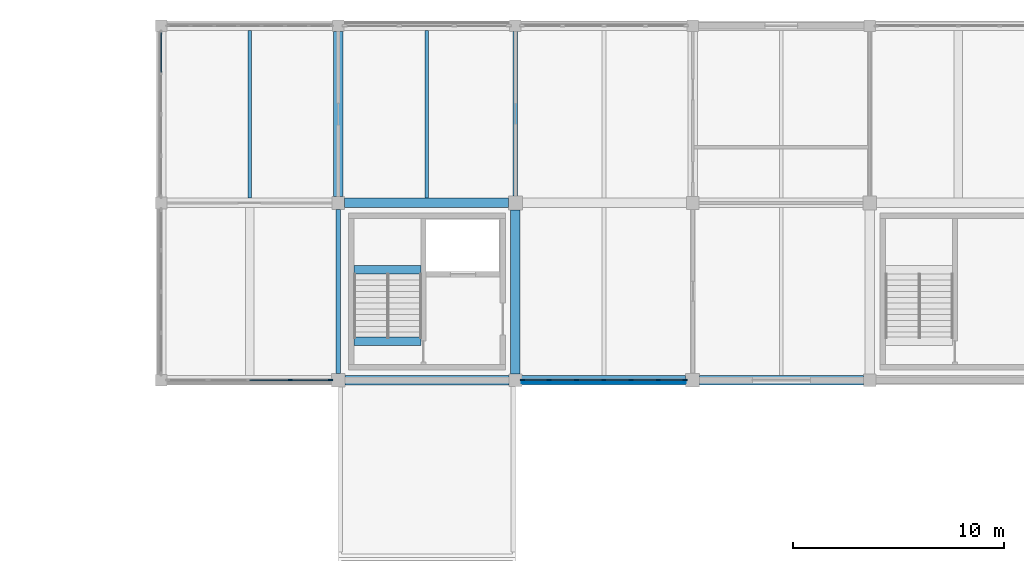
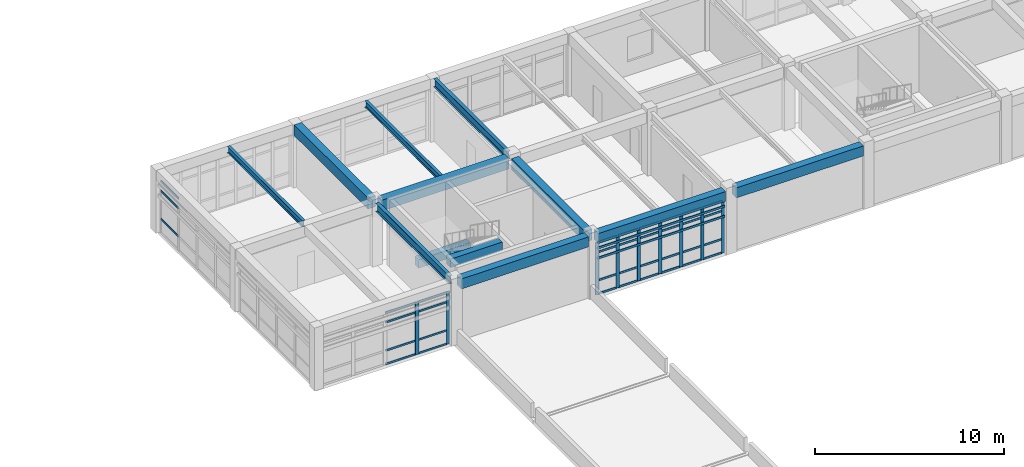
# One storey, part 3 of 18: 46 members, 12 beams, 3 elements without a shape of their own.
"""IFC4 building model written with IfcOpenShell, lengths in metres."""

import ifcopenshell
import ifcopenshell.guid

model = None  # the IFC model being written
_history = None  # IfcOwnerHistory: only IFC2X3 demands one
_inside = {}  # id of a spatial element -> (the spatial element, [elements in it])
_under = {}  # id of a project, library or spatial element -> (it, [spatial elements below it])
_declared = {}  # id of a project -> (the project, [libraries it declares])
_typed = {}  # id of a type object -> (the type object, [elements of that type])
_made_of = {}  # id of a material, layer set ... -> (it, [elements and type objects made of it])


def new_model(schema):
    """Start an empty IFC model of exactly this schema.

    Asked for "IFC4X3", IfcOpenShell would pick the latest addendum, in which some entities
    have other attributes; the version numbers below select the first issue.
    IFC2X3 requires an IfcOwnerHistory on every rooted entity: one is made here for all.
    """
    global model, _history
    if schema == "IFC4X3":
        model = ifcopenshell.file(schema_version=(4, 3, 0, 0))
    else:
        model = ifcopenshell.file(schema=schema)
    _inside.clear()
    _under.clear()
    _declared.clear()
    _typed.clear()
    _made_of.clear()
    _history = None
    if model.schema == "IFC2X3":
        org = make("IfcOrganization", Name="unknown")
        user = make(
            "IfcPersonAndOrganization",
            ThePerson=make("IfcPerson", FamilyName="unknown"),
            TheOrganization=org,
        )
        app = make(
            "IfcApplication",
            ApplicationDeveloper=org,
            Version="unknown",
            ApplicationFullName="unknown",
            ApplicationIdentifier="unknown",
        )
        _history = make(
            "IfcOwnerHistory",
            OwningUser=user,
            OwningApplication=app,
            ChangeAction="ADDED",
            CreationDate=0,
        )
    return model


def make(cls, **values):
    """One entity of the class cls with the attributes given. An attribute that is None is left unset."""
    return model.create_entity(
        cls, **{name: value for name, value in values.items() if value is not None}
    )


def rooted(cls, **values):
    """An entity with a GlobalId (a new one), such as an element, a storey or a relation."""
    return make(cls, GlobalId=ifcopenshell.guid.new(), OwnerHistory=_history, **values)


def si_unit(unit_type, name, prefix=None):
    """IfcSIUnit, for example si_unit("LENGTHUNIT", "METRE", prefix="MILLI")."""
    return make("IfcSIUnit", UnitType=unit_type, Prefix=prefix, Name=name)


def assignment(units):
    """IfcUnitAssignment: the units of a project."""
    return None if units is None else make("IfcUnitAssignment", Units=units)


def point(xyz):
    """IfcCartesianPoint."""
    return None if xyz is None else make("IfcCartesianPoint", Coordinates=xyz)


def direction(xyz):
    """IfcDirection."""
    return None if xyz is None else make("IfcDirection", DirectionRatios=xyz)


def frame(location, z_axis=None, x_axis=None):
    """IfcAxis2Placement3D, a coordinate frame: its origin and axes. An axis left out is left unset."""
    return make(
        "IfcAxis2Placement3D",
        Location=point(location),
        Axis=direction(z_axis),
        RefDirection=direction(x_axis),
    )


def frame_2d(location, x_axis=None):
    """IfcAxis2Placement2D, a coordinate frame in the plane: its origin and x axis."""
    return make(
        "IfcAxis2Placement2D", Location=point(location), RefDirection=direction(x_axis)
    )


def origin():
    """The frame at (0, 0, 0) with its axes left unset."""
    return frame((0.0, 0.0, 0.0))


def origin_2d():
    """The frame at (0, 0) in the plane with its x axis left unset."""
    return frame_2d((0.0, 0.0))


def place(relative_to, where):
    """IfcLocalPlacement: puts the frame where relative to a parent placement (None: the world)."""
    return make(
        "IfcLocalPlacement", PlacementRelTo=relative_to, RelativePlacement=where
    )


def context(
    kind, dimensions, precision=None, world=None, true_north=None, identifier=None
):
    """IfcGeometricRepresentationContext, for example the 3D "Model" context."""
    return make(
        "IfcGeometricRepresentationContext",
        ContextIdentifier=identifier,
        ContextType=kind,
        CoordinateSpaceDimension=dimensions,
        Precision=precision,
        WorldCoordinateSystem=world,
        TrueNorth=true_north,
    )


def subcontext(parent, identifier, kind, view, scale=None):
    """IfcGeometricRepresentationSubContext, for example "Body" below "Model"."""
    return make(
        "IfcGeometricRepresentationSubContext",
        ContextIdentifier=identifier,
        ContextType=kind,
        ParentContext=parent,
        TargetScale=scale,
        TargetView=view,
    )


def project(units=None, contexts=None):
    """IfcProject with its units and contexts."""
    return rooted(
        "IfcProject",
        Name="project",
        RepresentationContexts=contexts,
        UnitsInContext=assignment(units),
    )


def spatial(cls, under=None, at=None, **own):
    """A site, building, storey or space (cls), placed at a placement, below another one or the project."""
    s = rooted(cls, ObjectPlacement=at, **own)
    if under is not None:
        _under.setdefault(under.id(), (under, []))[1].append(s)
    return s


def profile(cls, at=None, kind="AREA", **sizes):
    """A parametric profile (cls). Its sizes go by their IFC names, for example OverallWidth=200.0."""
    return make(cls, ProfileType=kind, Position=at, **sizes)


def rectangle(**sizes):
    """IfcRectangleProfileDef."""
    return profile("IfcRectangleProfileDef", **sizes)


def i_section(**sizes):
    """IfcIShapeProfileDef."""
    return profile("IfcIShapeProfileDef", **sizes)


def extrude(swept, where, along, depth):
    """IfcExtrudedAreaSolid: the profile swept, set in the frame where, extruded along a direction by depth."""
    return make(
        "IfcExtrudedAreaSolid",
        SweptArea=swept,
        Position=where,
        ExtrudedDirection=direction(along),
        Depth=depth,
    )


def shape(context_of_items, identifier, shape_type, items):
    """IfcShapeRepresentation: the items that make up one representation, for example the "Body"."""
    return make(
        "IfcShapeRepresentation",
        ContextOfItems=context_of_items,
        RepresentationIdentifier=identifier,
        RepresentationType=shape_type,
        Items=items,
    )


def material(Name=None, Category=None):
    """IfcMaterial."""
    return make("IfcMaterial", Name=Name, Category=Category)


def layer(
    of_material, thickness, ventilated=None, Name=None, Category=None, Priority=None
):
    """IfcMaterialLayer: one layer of a wall or slab, of a material (None: an air gap)."""
    return make(
        "IfcMaterialLayer",
        Material=of_material,
        LayerThickness=thickness,
        IsVentilated=ventilated,
        Name=Name,
        Category=Category,
        Priority=Priority,
    )


def layer_set(layers, Name=None):
    """IfcMaterialLayerSet."""
    return make("IfcMaterialLayerSet", MaterialLayers=layers, LayerSetName=Name)


def material_profile(
    of_material, cross_section, Name=None, Category=None, Priority=None
):
    """IfcMaterialProfile: a cross section and its material."""
    return make(
        "IfcMaterialProfile",
        Name=Name,
        Material=of_material,
        Profile=cross_section,
        Priority=Priority,
        Category=Category,
    )


def profile_set(profiles, Name=None, composite=None):
    """IfcMaterialProfileSet."""
    return make(
        "IfcMaterialProfileSet",
        Name=Name,
        MaterialProfiles=profiles,
        CompositeProfile=composite,
    )


def made_of(thing, what):
    """Note that an element or type object is made of a material, layer set ...; save() writes the relation."""
    if what is not None:
        _made_of.setdefault(what.id(), (what, []))[1].append(thing)
    return thing


def type_object(cls, material=None, **own):
    """A type object (cls), such as IfcWallType, which elements share."""
    return made_of(rooted(cls, **own), material)


def element(
    cls,
    number,
    at=None,
    inside=None,
    cuts=None,
    type_object=None,
    material=None,
    context=None,
    identifier="Body",
    shape_type=None,
    held_by="IfcProductDefinitionShape",
    body=None,
    shapes=None,
    **own,
):
    """One element of the class cls, such as IfcWall. Its Tag is "e" and its number.

    at: its placement. inside: the storey or other place that contains it. cuts: it is an
    opening in that element (IfcRelVoidsElement). A single representation is given by context,
    identifier, shape_type and body (its items); several are given by shapes. held_by: the class
    of the entity that holds the representations. save() writes the other relations.
    """
    e = rooted(cls, Tag="e%d" % number, ObjectPlacement=at, **own)
    if body is not None:
        shapes = [shape(context, identifier, shape_type, body)]
    if shapes is not None:
        e.Representation = make(held_by, Representations=shapes)
    if inside is not None:
        _inside.setdefault(inside.id(), (inside, []))[1].append(e)
    if cuts is not None:
        rooted(
            "IfcRelVoidsElement", RelatingBuildingElement=cuts, RelatedOpeningElement=e
        )
    if type_object is not None:
        _typed.setdefault(type_object.id(), (type_object, []))[1].append(e)
    return made_of(e, material)


def aggregate(whole, parts):
    """IfcRelAggregates: a whole, such as a stair, and the parts it consists of."""
    return rooted("IfcRelAggregates", RelatingObject=whole, RelatedObjects=parts)


def save(model, path):
    """Write the relations noted so far, then the file.

    IfcRelAggregates (storeys below a building ...), IfcRelContainedInSpatialStructure (elements
    in a storey), IfcRelDefinesByType, IfcRelAssociatesMaterial and IfcRelDeclares: one each for
    every whole, place, type object, material and project.
    """
    for whole, parts in _under.values():
        aggregate(whole, parts)
    for where, things in _inside.values():
        rooted(
            "IfcRelContainedInSpatialStructure",
            RelatedElements=things,
            RelatingStructure=where,
        )
    for kind, things in _typed.values():
        rooted("IfcRelDefinesByType", RelatedObjects=things, RelatingType=kind)
    for what, things in _made_of.values():
        rooted("IfcRelAssociatesMaterial", RelatedObjects=things, RelatingMaterial=what)
    for by, libraries in _declared.values():
        rooted("IfcRelDeclares", RelatingContext=by, RelatedDefinitions=libraries)
    model.write(path)


model = new_model("IFC4")

# Units and contexts
model_context = context("Model", 3, precision=1e-05, world=origin(), true_north=direction((0.0, 1.0)))
body_context = subcontext(model_context, "Body", "Model", "MODEL_VIEW")
ifc_project = project(units=[si_unit("LENGTHUNIT", "METRE"), si_unit("AREAUNIT", "SQUARE_METRE"), si_unit("VOLUMEUNIT", "CUBIC_METRE"), si_unit("PLANEANGLEUNIT", "RADIAN"), si_unit("MASSUNIT", "GRAM", prefix="KILO")], contexts=[model_context])

# Site, building, storey
site_placement = place(None, origin())
site = spatial("IfcSite", under=ifc_project, at=site_placement, CompositionType="ELEMENT")
building_placement = place(site_placement, origin())
building = spatial("IfcBuilding", under=site, at=building_placement, Name="Porcellanite Civic Hall", CompositionType="ELEMENT")
storey_placement = place(building_placement, frame((0.0, 0.0, 23.39990234375)))
storey = spatial("IfcBuildingStorey", under=building, at=storey_placement, Name="L05", CompositionType="ELEMENT", Elevation=23.39990234375)

# Beams
ifc_material_1 = material(Name="Concrete N50 (50 MPa)", Category="concrete")
ifc_material_profile_1 = material_profile(ifc_material_1, rectangle(XDim=0.39990234375, YDim=0.550048828125, at=origin_2d()), Name="RC-400x550")
ifc_profile_set_1 = profile_set([ifc_material_profile_1], Name="Concrete N50 (50 MPa)")
beam_type_1 = type_object("IfcBeamType", Name="BM-RC550", PredefinedType="JOIST", material=ifc_profile_set_1)
for number, where, z_axis, x_axis, name in (
    (1, (51.140380859375, 106.02490234375, 1.705078125), (1.0, 0.0, 0.0), (0.0, 1.0, 0.0), "Stair landing beam C3 L05"),
    (2, (51.140380859375, 102.64990234375, 3.795166015625), (1.0, 0.0, 0.0), (0.0, 1.0, 0.0), "Stair header beam C3 L05"),
):
    element("IfcBeam", number, at=place(storey_placement, frame(where, z_axis=z_axis, x_axis=x_axis)), inside=storey, type_object=beam_type_1, Name=name, PredefinedType="JOIST", context=body_context, shape_type="SweptSolid", body=[
        extrude(rectangle(XDim=0.39990234375, YDim=0.550048828125, at=origin_2d()), origin(), (0.0, 0.0, 1.0), 3.17919921875),
    ])
ifc_material_2 = material(Name="Concrete N50 (50 MPa)", Category="concrete")
ifc_material_profile_2 = material_profile(ifc_material_2, rectangle(XDim=0.449951171875, YDim=0.64990234375, at=origin_2d()), Name="RC-450x650")
ifc_profile_set_2 = profile_set([ifc_material_profile_2], Name="Concrete N50 (50 MPa)")
beam_type_2 = type_object("IfcBeamType", Name="BM-RC650", PredefinedType="SPANDREL", material=ifc_profile_set_2)
for number, where, z_axis, x_axis, name in (
    (3, (50.724609375, 100.800048828125, 3.7451171875), (1.0, 0.0, 0.0), (0.0, 1.0, 0.0), "Beam X L05 7-13"),
    (4, (59.099609375, 100.800048828125, 3.7451171875), (1.0, 0.0, 0.0), (0.0, 1.0, 0.0), "Beam X L05 8-13"),
):
    element("IfcBeam", number, at=place(storey_placement, frame(where, z_axis=z_axis, x_axis=x_axis)), inside=storey, type_object=beam_type_2, Name=name, PredefinedType="SPANDREL", context=body_context, shape_type="SweptSolid", body=[
        extrude(rectangle(XDim=0.449951171875, YDim=0.64990234375, at=origin_2d()), origin(), (0.0, 0.0, 1.0), 7.77587890625),
    ])
beam_1_placement = place(storey_placement, frame((67.5244140625, 100.800048828125, 3.7451171875), z_axis=(1.0, 0.0, 0.0), x_axis=(0.0, 1.0, 0.0)))
element("IfcBeam", 5, at=beam_1_placement, inside=storey, type_object=beam_type_2, Name="Beam X L05 9-13", PredefinedType="SPANDREL", context=body_context, shape_type="SweptSolid", body=[
    extrude(rectangle(XDim=0.449951171875, YDim=0.64990234375, at=origin_2d()), origin(), (0.0, 0.0, 1.0), 7.776123046875),
])
ifc_material_3 = material(Name="Concrete N50 (50 MPa)", Category="concrete")
ifc_material_profile_3 = material_profile(ifc_material_3, rectangle(XDim=0.449951171875, YDim=0.699951171875, at=origin_2d()), Name="RC-450x700")
ifc_profile_set_3 = profile_set([ifc_material_profile_3], Name="Concrete N50 (50 MPa)")
beam_type_3 = type_object("IfcBeamType", Name="BM-RC700", PredefinedType="BEAM", material=ifc_profile_set_3)
beam_2_placement = place(storey_placement, frame((50.699462890625, 109.199951171875, 3.72021484375), z_axis=(1.0, 0.0, 0.0), x_axis=(0.0, 1.0, 0.0)))
element("IfcBeam", 6, at=beam_2_placement, inside=storey, type_object=beam_type_3, Name="Beam X L05 7-14", PredefinedType="BEAM", context=body_context, shape_type="SweptSolid", body=[
    extrude(rectangle(XDim=0.449951171875, YDim=0.699951171875, at=origin_2d()), origin(), (0.0, 0.0, 1.0), 7.776123046875),
])
beam_3_placement = place(storey_placement, frame((50.39990234375, 109.49951171875, 3.72021484375), z_axis=(0.0, 1.0, 0.0), x_axis=(-1.0, 0.0, 0.0)))
element("IfcBeam", 7, at=beam_3_placement, inside=storey, type_object=beam_type_3, Name="Beam Y L05 7-14", PredefinedType="BEAM", context=body_context, shape_type="SweptSolid", body=[
    extrude(rectangle(XDim=0.449951171875, YDim=0.699951171875, at=origin_2d()), origin(), (0.0, 0.0, 1.0), 7.825927734375),
])
beam_4_placement = place(storey_placement, frame((58.800048828125, 101.099609375, 3.72021484375), z_axis=(0.0, 1.0, 0.0), x_axis=(-1.0, 0.0, 0.0)))
element("IfcBeam", 8, at=beam_4_placement, inside=storey, type_object=beam_type_3, Name="Beam Y L05 8-13", PredefinedType="BEAM", context=body_context, shape_type="SweptSolid", body=[
    extrude(rectangle(XDim=0.449951171875, YDim=0.699951171875, at=origin_2d()), origin(), (0.0, 0.0, 1.0), 7.77587890625),
])

# Curtain wall, members
ifc_material_4 = material(Name="Anodised aluminium and solar laminated glass", Category="aluminium")
ifc_layer_1 = layer(ifc_material_4, 0.179931640625)
ifc_layer_set_1 = layer_set([ifc_layer_1], Name="Anodised aluminium and solar laminated glass")
curtain_wall_type_1 = type_object("IfcCurtainWallType", Name="CW-SYS03", PredefinedType="NOTDEFINED", material=ifc_layer_set_1)
curtain_wall_1_placement = place(storey_placement, origin())
curtain_wall_1 = element("IfcCurtainWall", 9, at=curtain_wall_1_placement, inside=storey, type_object=curtain_wall_type_1, Name="Curtain wall CW-258", PredefinedType="NOTDEFINED")
ifc_material_5 = material(Name="Anodised aluminium 6063-T6", Category="aluminium")
ifc_material_profile_4 = material_profile(ifc_material_5, rectangle(XDim=0.080078125, YDim=0.2099609375, at=origin_2d()), Name="AL-80x210")
ifc_profile_set_4 = profile_set([ifc_material_profile_4], Name="Anodised aluminium 6063-T6")
member_type_1 = type_object("IfcMemberType", Name="CWM-02", PredefinedType="MULLION", material=ifc_profile_set_4)
member_1_placement = place(storey_placement, frame((50.033935546875, 100.800048828125, 0.0), z_axis=(0.0, 0.0, 1.0), x_axis=(0.0, -1.0, 0.0)))
member_1 = element("IfcMember", 10, at=member_1_placement, type_object=member_type_1, Name="CW-258 mullion 1", PredefinedType="MULLION", context=body_context, shape_type="SweptSolid", body=[
    extrude(rectangle(XDim=0.080078125, YDim=0.2099609375, at=origin_2d()), origin(), (0.0, 0.0, 1.0), 3.3701171875),
])
member_2_placement = place(storey_placement, frame((48.12451171875, 100.800048828125, 0.0), z_axis=(0.0, 0.0, 1.0), x_axis=(0.0, -1.0, 0.0)))
member_2 = element("IfcMember", 11, at=member_2_placement, type_object=member_type_1, Name="CW-258 mullion 2", PredefinedType="MULLION", context=body_context, shape_type="SweptSolid", body=[
    extrude(rectangle(XDim=0.080078125, YDim=0.2099609375, at=origin_2d()), origin(), (0.0, 0.0, 1.0), 3.3701171875),
])

ifc_material_6 = material(Name="Anodised aluminium and solar laminated glass", Category="aluminium")
ifc_layer_2 = layer(ifc_material_6, 0.179931640625)
ifc_layer_set_2 = layer_set([ifc_layer_2], Name="Anodised aluminium and solar laminated glass")
curtain_wall_type_2 = type_object("IfcCurtainWallType", Name="CW-SYS01", PredefinedType="NOTDEFINED", material=ifc_layer_set_2)
curtain_wall_2_placement = place(storey_placement, origin())
curtain_wall_2 = element("IfcCurtainWall", 12, at=curtain_wall_2_placement, inside=storey, type_object=curtain_wall_type_2, Name="Curtain wall CW-263", PredefinedType="NOTDEFINED")
ifc_material_7 = material(Name="Anodised aluminium 6063-T6", Category="aluminium")
ifc_material_profile_5 = material_profile(ifc_material_7, rectangle(XDim=0.070068359375, YDim=0.199951171875, at=origin_2d()), Name="AL-70x200")
ifc_profile_set_5 = profile_set([ifc_material_profile_5], Name="Anodised aluminium 6063-T6")
member_type_2 = type_object("IfcMemberType", Name="CWM-05", PredefinedType="MULLION", material=ifc_profile_set_5)
member_3_placement = place(storey_placement, frame((66.839111328125, 100.800048828125, 0.0), z_axis=(0.0, 0.0, 1.0), x_axis=(0.0, -1.0, 0.0)))
member_3 = element("IfcMember", 13, at=member_3_placement, type_object=member_type_2, Name="CW-263 mullion 1", PredefinedType="MULLION", context=body_context, shape_type="SweptSolid", body=[
    extrude(rectangle(XDim=0.070068359375, YDim=0.199951171875, at=origin_2d()), origin(), (0.0, 0.0, 1.0), 3.3701171875),
])
member_4_placement = place(storey_placement, frame((65.57861328125, 100.800048828125, 0.0), z_axis=(0.0, 0.0, 1.0), x_axis=(0.0, -1.0, 0.0)))
member_4 = element("IfcMember", 14, at=member_4_placement, type_object=member_type_2, Name="CW-263 mullion 2", PredefinedType="MULLION", context=body_context, shape_type="SweptSolid", body=[
    extrude(rectangle(XDim=0.070068359375, YDim=0.199951171875, at=origin_2d()), origin(), (0.0, 0.0, 1.0), 3.3701171875),
])
member_5_placement = place(storey_placement, frame((64.282958984375, 100.800048828125, 0.0), z_axis=(0.0, 0.0, 1.0), x_axis=(0.0, -1.0, 0.0)))
member_5 = element("IfcMember", 15, at=member_5_placement, type_object=member_type_2, Name="CW-263 mullion 3", PredefinedType="MULLION", context=body_context, shape_type="SweptSolid", body=[
    extrude(rectangle(XDim=0.070068359375, YDim=0.199951171875, at=origin_2d()), origin(), (0.0, 0.0, 1.0), 3.3701171875),
])
member_6_placement = place(storey_placement, frame((62.987548828125, 100.800048828125, 0.0), z_axis=(0.0, 0.0, 1.0), x_axis=(0.0, -1.0, 0.0)))
member_6 = element("IfcMember", 16, at=member_6_placement, type_object=member_type_2, Name="CW-263 mullion 4", PredefinedType="MULLION", context=body_context, shape_type="SweptSolid", body=[
    extrude(rectangle(XDim=0.070068359375, YDim=0.199951171875, at=origin_2d()), origin(), (0.0, 0.0, 1.0), 3.3701171875),
])
member_7_placement = place(storey_placement, frame((61.69189453125, 100.800048828125, 0.0), z_axis=(0.0, 0.0, 1.0), x_axis=(0.0, -1.0, 0.0)))
member_7 = element("IfcMember", 17, at=member_7_placement, type_object=member_type_2, Name="CW-263 mullion 5", PredefinedType="MULLION", context=body_context, shape_type="SweptSolid", body=[
    extrude(rectangle(XDim=0.070068359375, YDim=0.199951171875, at=origin_2d()), origin(), (0.0, 0.0, 1.0), 3.3701171875),
])
member_8_placement = place(storey_placement, frame((60.396484375, 100.800048828125, 0.0), z_axis=(0.0, 0.0, 1.0), x_axis=(0.0, -1.0, 0.0)))
member_8 = element("IfcMember", 18, at=member_8_placement, type_object=member_type_2, Name="CW-263 mullion 6", PredefinedType="MULLION", context=body_context, shape_type="SweptSolid", body=[
    extrude(rectangle(XDim=0.070068359375, YDim=0.199951171875, at=origin_2d()), origin(), (0.0, 0.0, 1.0), 3.3701171875),
])
member_9_placement = place(storey_placement, frame((59.135986328125, 100.800048828125, 0.0), z_axis=(0.0, 0.0, 1.0), x_axis=(0.0, -1.0, 0.0)))
member_9 = element("IfcMember", 19, at=member_9_placement, type_object=member_type_2, Name="CW-263 mullion 7", PredefinedType="MULLION", context=body_context, shape_type="SweptSolid", body=[
    extrude(rectangle(XDim=0.070068359375, YDim=0.199951171875, at=origin_2d()), origin(), (0.0, 0.0, 1.0), 3.3701171875),
])
ifc_material_8 = material(Name="Anodised aluminium 6063-T6", Category="aluminium")
ifc_material_profile_6 = material_profile(ifc_material_8, rectangle(XDim=0.06005859375, YDim=0.1298828125, at=origin_2d()), Name="AL-60x130")
ifc_profile_set_6 = profile_set([ifc_material_profile_6], Name="Anodised aluminium 6063-T6")
member_type_3 = type_object("IfcMemberType", Name="CWT-03", PredefinedType="USERDEFINED", material=ifc_profile_set_6)
member_10_placement = place(storey_placement, frame((66.803955078125, 100.800048828125, 0.030029296875), z_axis=(-1.0, 0.0, 0.0), x_axis=(0.0, -1.0, 0.0)))
member_10 = element("IfcMember", 20, at=member_10_placement, type_object=member_type_3, Name="CW-263 transom 1.1", ObjectType="TRANSOM", PredefinedType="USERDEFINED", context=body_context, shape_type="SweptSolid", body=[
    extrude(rectangle(XDim=0.06005859375, YDim=0.1298828125, at=origin_2d()), origin(), (0.0, 0.0, 1.0), 1.1904296875),
])
member_11_placement = place(storey_placement, frame((66.803955078125, 100.800048828125, 0.900146484375), z_axis=(-1.0, 0.0, 0.0), x_axis=(0.0, -1.0, 0.0)))
member_11 = element("IfcMember", 21, at=member_11_placement, type_object=member_type_3, Name="CW-263 transom 1.2", ObjectType="TRANSOM", PredefinedType="USERDEFINED", context=body_context, shape_type="SweptSolid", body=[
    extrude(rectangle(XDim=0.06005859375, YDim=0.1298828125, at=origin_2d()), origin(), (0.0, 0.0, 1.0), 1.1904296875),
])
member_12_placement = place(storey_placement, frame((66.803955078125, 100.800048828125, 2.72021484375), z_axis=(-1.0, 0.0, 0.0), x_axis=(0.0, -1.0, 0.0)))
member_12 = element("IfcMember", 22, at=member_12_placement, type_object=member_type_3, Name="CW-263 transom 1.3", ObjectType="TRANSOM", PredefinedType="USERDEFINED", context=body_context, shape_type="SweptSolid", body=[
    extrude(rectangle(XDim=0.06005859375, YDim=0.1298828125, at=origin_2d()), origin(), (0.0, 0.0, 1.0), 1.1904296875),
])
member_13_placement = place(storey_placement, frame((66.803955078125, 100.800048828125, 3.340087890625), z_axis=(-1.0, 0.0, 0.0), x_axis=(0.0, -1.0, 0.0)))
member_13 = element("IfcMember", 23, at=member_13_placement, type_object=member_type_3, Name="CW-263 transom 1.4", ObjectType="TRANSOM", PredefinedType="USERDEFINED", context=body_context, shape_type="SweptSolid", body=[
    extrude(rectangle(XDim=0.06005859375, YDim=0.1298828125, at=origin_2d()), origin(), (0.0, 0.0, 1.0), 1.1904296875),
])
member_14_placement = place(storey_placement, frame((65.54345703125, 100.800048828125, 0.030029296875), z_axis=(-1.0, 0.0, 0.0), x_axis=(0.0, -1.0, 0.0)))
member_14 = element("IfcMember", 24, at=member_14_placement, type_object=member_type_3, Name="CW-263 transom 2.1", ObjectType="TRANSOM", PredefinedType="USERDEFINED", context=body_context, shape_type="SweptSolid", body=[
    extrude(rectangle(XDim=0.06005859375, YDim=0.1298828125, at=origin_2d()), origin(), (0.0, 0.0, 1.0), 1.225341796875),
])
member_15_placement = place(storey_placement, frame((65.54345703125, 100.800048828125, 0.900146484375), z_axis=(-1.0, 0.0, 0.0), x_axis=(0.0, -1.0, 0.0)))
member_15 = element("IfcMember", 25, at=member_15_placement, type_object=member_type_3, Name="CW-263 transom 2.2", ObjectType="TRANSOM", PredefinedType="USERDEFINED", context=body_context, shape_type="SweptSolid", body=[
    extrude(rectangle(XDim=0.06005859375, YDim=0.1298828125, at=origin_2d()), origin(), (0.0, 0.0, 1.0), 1.225341796875),
])
member_16_placement = place(storey_placement, frame((65.54345703125, 100.800048828125, 2.72021484375), z_axis=(-1.0, 0.0, 0.0), x_axis=(0.0, -1.0, 0.0)))
member_16 = element("IfcMember", 26, at=member_16_placement, type_object=member_type_3, Name="CW-263 transom 2.3", ObjectType="TRANSOM", PredefinedType="USERDEFINED", context=body_context, shape_type="SweptSolid", body=[
    extrude(rectangle(XDim=0.06005859375, YDim=0.1298828125, at=origin_2d()), origin(), (0.0, 0.0, 1.0), 1.225341796875),
])
member_17_placement = place(storey_placement, frame((65.54345703125, 100.800048828125, 3.340087890625), z_axis=(-1.0, 0.0, 0.0), x_axis=(0.0, -1.0, 0.0)))
member_17 = element("IfcMember", 27, at=member_17_placement, type_object=member_type_3, Name="CW-263 transom 2.4", ObjectType="TRANSOM", PredefinedType="USERDEFINED", context=body_context, shape_type="SweptSolid", body=[
    extrude(rectangle(XDim=0.06005859375, YDim=0.1298828125, at=origin_2d()), origin(), (0.0, 0.0, 1.0), 1.225341796875),
])
member_18_placement = place(storey_placement, frame((64.248046875, 100.800048828125, 0.030029296875), z_axis=(-1.0, 0.0, 0.0), x_axis=(0.0, -1.0, 0.0)))
member_18 = element("IfcMember", 28, at=member_18_placement, type_object=member_type_3, Name="CW-263 transom 3.1", ObjectType="TRANSOM", PredefinedType="USERDEFINED", context=body_context, shape_type="SweptSolid", body=[
    extrude(rectangle(XDim=0.06005859375, YDim=0.1298828125, at=origin_2d()), origin(), (0.0, 0.0, 1.0), 1.2255859375),
])
member_19_placement = place(storey_placement, frame((64.248046875, 100.800048828125, 0.900146484375), z_axis=(-1.0, 0.0, 0.0), x_axis=(0.0, -1.0, 0.0)))
member_19 = element("IfcMember", 29, at=member_19_placement, type_object=member_type_3, Name="CW-263 transom 3.2", ObjectType="TRANSOM", PredefinedType="USERDEFINED", context=body_context, shape_type="SweptSolid", body=[
    extrude(rectangle(XDim=0.06005859375, YDim=0.1298828125, at=origin_2d()), origin(), (0.0, 0.0, 1.0), 1.2255859375),
])
member_20_placement = place(storey_placement, frame((64.248046875, 100.800048828125, 2.72021484375), z_axis=(-1.0, 0.0, 0.0), x_axis=(0.0, -1.0, 0.0)))
member_20 = element("IfcMember", 30, at=member_20_placement, type_object=member_type_3, Name="CW-263 transom 3.3", ObjectType="TRANSOM", PredefinedType="USERDEFINED", context=body_context, shape_type="SweptSolid", body=[
    extrude(rectangle(XDim=0.06005859375, YDim=0.1298828125, at=origin_2d()), origin(), (0.0, 0.0, 1.0), 1.2255859375),
])
member_21_placement = place(storey_placement, frame((64.248046875, 100.800048828125, 3.340087890625), z_axis=(-1.0, 0.0, 0.0), x_axis=(0.0, -1.0, 0.0)))
member_21 = element("IfcMember", 31, at=member_21_placement, type_object=member_type_3, Name="CW-263 transom 3.4", ObjectType="TRANSOM", PredefinedType="USERDEFINED", context=body_context, shape_type="SweptSolid", body=[
    extrude(rectangle(XDim=0.06005859375, YDim=0.1298828125, at=origin_2d()), origin(), (0.0, 0.0, 1.0), 1.2255859375),
])
member_22_placement = place(storey_placement, frame((62.952392578125, 100.800048828125, 0.030029296875), z_axis=(-1.0, 0.0, 0.0), x_axis=(0.0, -1.0, 0.0)))
member_22 = element("IfcMember", 32, at=member_22_placement, type_object=member_type_3, Name="CW-263 transom 4.1", ObjectType="TRANSOM", PredefinedType="USERDEFINED", context=body_context, shape_type="SweptSolid", body=[
    extrude(rectangle(XDim=0.06005859375, YDim=0.1298828125, at=origin_2d()), origin(), (0.0, 0.0, 1.0), 1.225341796875),
])
member_23_placement = place(storey_placement, frame((62.952392578125, 100.800048828125, 0.900146484375), z_axis=(-1.0, 0.0, 0.0), x_axis=(0.0, -1.0, 0.0)))
member_23 = element("IfcMember", 33, at=member_23_placement, type_object=member_type_3, Name="CW-263 transom 4.2", ObjectType="TRANSOM", PredefinedType="USERDEFINED", context=body_context, shape_type="SweptSolid", body=[
    extrude(rectangle(XDim=0.06005859375, YDim=0.1298828125, at=origin_2d()), origin(), (0.0, 0.0, 1.0), 1.225341796875),
])
member_24_placement = place(storey_placement, frame((62.952392578125, 100.800048828125, 2.72021484375), z_axis=(-1.0, 0.0, 0.0), x_axis=(0.0, -1.0, 0.0)))
member_24 = element("IfcMember", 34, at=member_24_placement, type_object=member_type_3, Name="CW-263 transom 4.3", ObjectType="TRANSOM", PredefinedType="USERDEFINED", context=body_context, shape_type="SweptSolid", body=[
    extrude(rectangle(XDim=0.06005859375, YDim=0.1298828125, at=origin_2d()), origin(), (0.0, 0.0, 1.0), 1.225341796875),
])
member_25_placement = place(storey_placement, frame((62.952392578125, 100.800048828125, 3.340087890625), z_axis=(-1.0, 0.0, 0.0), x_axis=(0.0, -1.0, 0.0)))
member_25 = element("IfcMember", 35, at=member_25_placement, type_object=member_type_3, Name="CW-263 transom 4.4", ObjectType="TRANSOM", PredefinedType="USERDEFINED", context=body_context, shape_type="SweptSolid", body=[
    extrude(rectangle(XDim=0.06005859375, YDim=0.1298828125, at=origin_2d()), origin(), (0.0, 0.0, 1.0), 1.225341796875),
])
member_26_placement = place(storey_placement, frame((61.656982421875, 100.800048828125, 0.030029296875), z_axis=(-1.0, 0.0, 0.0), x_axis=(0.0, -1.0, 0.0)))
member_26 = element("IfcMember", 36, at=member_26_placement, type_object=member_type_3, Name="CW-263 transom 5.1", ObjectType="TRANSOM", PredefinedType="USERDEFINED", context=body_context, shape_type="SweptSolid", body=[
    extrude(rectangle(XDim=0.06005859375, YDim=0.1298828125, at=origin_2d()), origin(), (0.0, 0.0, 1.0), 1.2255859375),
])
member_27_placement = place(storey_placement, frame((61.656982421875, 100.800048828125, 0.900146484375), z_axis=(-1.0, 0.0, 0.0), x_axis=(0.0, -1.0, 0.0)))
member_27 = element("IfcMember", 37, at=member_27_placement, type_object=member_type_3, Name="CW-263 transom 5.2", ObjectType="TRANSOM", PredefinedType="USERDEFINED", context=body_context, shape_type="SweptSolid", body=[
    extrude(rectangle(XDim=0.06005859375, YDim=0.1298828125, at=origin_2d()), origin(), (0.0, 0.0, 1.0), 1.2255859375),
])
member_28_placement = place(storey_placement, frame((61.656982421875, 100.800048828125, 2.72021484375), z_axis=(-1.0, 0.0, 0.0), x_axis=(0.0, -1.0, 0.0)))
member_28 = element("IfcMember", 38, at=member_28_placement, type_object=member_type_3, Name="CW-263 transom 5.3", ObjectType="TRANSOM", PredefinedType="USERDEFINED", context=body_context, shape_type="SweptSolid", body=[
    extrude(rectangle(XDim=0.06005859375, YDim=0.1298828125, at=origin_2d()), origin(), (0.0, 0.0, 1.0), 1.2255859375),
])
member_29_placement = place(storey_placement, frame((61.656982421875, 100.800048828125, 3.340087890625), z_axis=(-1.0, 0.0, 0.0), x_axis=(0.0, -1.0, 0.0)))
member_29 = element("IfcMember", 39, at=member_29_placement, type_object=member_type_3, Name="CW-263 transom 5.4", ObjectType="TRANSOM", PredefinedType="USERDEFINED", context=body_context, shape_type="SweptSolid", body=[
    extrude(rectangle(XDim=0.06005859375, YDim=0.1298828125, at=origin_2d()), origin(), (0.0, 0.0, 1.0), 1.2255859375),
])
member_30_placement = place(storey_placement, frame((60.361572265625, 100.800048828125, 0.030029296875), z_axis=(-1.0, 0.0, 0.0), x_axis=(0.0, -1.0, 0.0)))
member_30 = element("IfcMember", 40, at=member_30_placement, type_object=member_type_3, Name="CW-263 transom 6.1", ObjectType="TRANSOM", PredefinedType="USERDEFINED", context=body_context, shape_type="SweptSolid", body=[
    extrude(rectangle(XDim=0.06005859375, YDim=0.1298828125, at=origin_2d()), origin(), (0.0, 0.0, 1.0), 1.190673828125),
])
member_31_placement = place(storey_placement, frame((60.361572265625, 100.800048828125, 0.900146484375), z_axis=(-1.0, 0.0, 0.0), x_axis=(0.0, -1.0, 0.0)))
member_31 = element("IfcMember", 41, at=member_31_placement, type_object=member_type_3, Name="CW-263 transom 6.2", ObjectType="TRANSOM", PredefinedType="USERDEFINED", context=body_context, shape_type="SweptSolid", body=[
    extrude(rectangle(XDim=0.06005859375, YDim=0.1298828125, at=origin_2d()), origin(), (0.0, 0.0, 1.0), 1.190673828125),
])
member_32_placement = place(storey_placement, frame((60.361572265625, 100.800048828125, 2.72021484375), z_axis=(-1.0, 0.0, 0.0), x_axis=(0.0, -1.0, 0.0)))
member_32 = element("IfcMember", 42, at=member_32_placement, type_object=member_type_3, Name="CW-263 transom 6.3", ObjectType="TRANSOM", PredefinedType="USERDEFINED", context=body_context, shape_type="SweptSolid", body=[
    extrude(rectangle(XDim=0.06005859375, YDim=0.1298828125, at=origin_2d()), origin(), (0.0, 0.0, 1.0), 1.190673828125),
])
member_33_placement = place(storey_placement, frame((60.361572265625, 100.800048828125, 3.340087890625), z_axis=(-1.0, 0.0, 0.0), x_axis=(0.0, -1.0, 0.0)))
member_33 = element("IfcMember", 43, at=member_33_placement, type_object=member_type_3, Name="CW-263 transom 6.4", ObjectType="TRANSOM", PredefinedType="USERDEFINED", context=body_context, shape_type="SweptSolid", body=[
    extrude(rectangle(XDim=0.06005859375, YDim=0.1298828125, at=origin_2d()), origin(), (0.0, 0.0, 1.0), 1.190673828125),
])
aggregate(curtain_wall_2, [member_3, member_4, member_5, member_6, member_7, member_8, member_9, member_10, member_11, member_12, member_13, member_14, member_15, member_16, member_17, member_18, member_19, member_20, member_21, member_22, member_23, member_24, member_25, member_26, member_27, member_28, member_29, member_30, member_31, member_32, member_33])

# Member
ifc_material_9 = material(Name="Anodised aluminium 6063-T6", Category="aluminium")
ifc_material_profile_7 = material_profile(ifc_material_9, rectangle(XDim=0.054931640625, YDim=0.1201171875, at=origin_2d()), Name="AL-55x120")
ifc_profile_set_7 = profile_set([ifc_material_profile_7], Name="Anodised aluminium 6063-T6")
member_type_4 = type_object("IfcMemberType", Name="CWT-04", PredefinedType="USERDEFINED", material=ifc_profile_set_7)
member_34_placement = place(storey_placement, frame((49.993896484375, 100.800048828125, 0.027587890625), z_axis=(-1.0, 0.0, 0.0), x_axis=(0.0, -1.0, 0.0)))
member_34 = element("IfcMember", 44, at=member_34_placement, type_object=member_type_4, Name="CW-258 transom 1.1", ObjectType="TRANSOM", PredefinedType="USERDEFINED", context=body_context, shape_type="SweptSolid", body=[
    extrude(rectangle(XDim=0.054931640625, YDim=0.1201171875, at=origin_2d()), origin(), (0.0, 0.0, 1.0), 1.829345703125),
])

member_35_placement = place(storey_placement, frame((49.993896484375, 100.800048828125, 0.900146484375), z_axis=(-1.0, 0.0, 0.0), x_axis=(0.0, -1.0, 0.0)))
member_35 = element("IfcMember", 45, at=member_35_placement, type_object=member_type_4, Name="CW-258 transom 1.2", ObjectType="TRANSOM", PredefinedType="USERDEFINED", context=body_context, shape_type="SweptSolid", body=[
    extrude(rectangle(XDim=0.054931640625, YDim=0.1201171875, at=origin_2d()), origin(), (0.0, 0.0, 1.0), 1.829345703125),
])

member_36_placement = place(storey_placement, frame((49.993896484375, 100.800048828125, 2.72021484375), z_axis=(-1.0, 0.0, 0.0), x_axis=(0.0, -1.0, 0.0)))
member_36 = element("IfcMember", 46, at=member_36_placement, type_object=member_type_4, Name="CW-258 transom 1.3", ObjectType="TRANSOM", PredefinedType="USERDEFINED", context=body_context, shape_type="SweptSolid", body=[
    extrude(rectangle(XDim=0.054931640625, YDim=0.1201171875, at=origin_2d()), origin(), (0.0, 0.0, 1.0), 1.829345703125),
])

member_37_placement = place(storey_placement, frame((49.993896484375, 100.800048828125, 3.342529296875), z_axis=(-1.0, 0.0, 0.0), x_axis=(0.0, -1.0, 0.0)))
member_37 = element("IfcMember", 47, at=member_37_placement, type_object=member_type_4, Name="CW-258 transom 1.4", ObjectType="TRANSOM", PredefinedType="USERDEFINED", context=body_context, shape_type="SweptSolid", body=[
    extrude(rectangle(XDim=0.054931640625, YDim=0.1201171875, at=origin_2d()), origin(), (0.0, 0.0, 1.0), 1.829345703125),
])

member_38_placement = place(storey_placement, frame((48.08447265625, 100.800048828125, 0.027587890625), z_axis=(-1.0, 0.0, 0.0), x_axis=(0.0, -1.0, 0.0)))
member_38 = element("IfcMember", 48, at=member_38_placement, type_object=member_type_4, Name="CW-258 transom 2.1", ObjectType="TRANSOM", PredefinedType="USERDEFINED", context=body_context, shape_type="SweptSolid", body=[
    extrude(rectangle(XDim=0.054931640625, YDim=0.1201171875, at=origin_2d()), origin(), (0.0, 0.0, 1.0), 1.869384765625),
])

member_39_placement = place(storey_placement, frame((48.08447265625, 100.800048828125, 0.900146484375), z_axis=(-1.0, 0.0, 0.0), x_axis=(0.0, -1.0, 0.0)))
member_39 = element("IfcMember", 49, at=member_39_placement, type_object=member_type_4, Name="CW-258 transom 2.2", ObjectType="TRANSOM", PredefinedType="USERDEFINED", context=body_context, shape_type="SweptSolid", body=[
    extrude(rectangle(XDim=0.054931640625, YDim=0.1201171875, at=origin_2d()), origin(), (0.0, 0.0, 1.0), 1.869384765625),
])

member_40_placement = place(storey_placement, frame((48.08447265625, 100.800048828125, 2.72021484375), z_axis=(-1.0, 0.0, 0.0), x_axis=(0.0, -1.0, 0.0)))
member_40 = element("IfcMember", 50, at=member_40_placement, type_object=member_type_4, Name="CW-258 transom 2.3", ObjectType="TRANSOM", PredefinedType="USERDEFINED", context=body_context, shape_type="SweptSolid", body=[
    extrude(rectangle(XDim=0.054931640625, YDim=0.1201171875, at=origin_2d()), origin(), (0.0, 0.0, 1.0), 1.869384765625),
])

member_41_placement = place(storey_placement, frame((48.08447265625, 100.800048828125, 3.342529296875), z_axis=(-1.0, 0.0, 0.0), x_axis=(0.0, -1.0, 0.0)))
member_41 = element("IfcMember", 51, at=member_41_placement, type_object=member_type_4, Name="CW-258 transom 2.4", ObjectType="TRANSOM", PredefinedType="USERDEFINED", context=body_context, shape_type="SweptSolid", body=[
    extrude(rectangle(XDim=0.054931640625, YDim=0.1201171875, at=origin_2d()), origin(), (0.0, 0.0, 1.0), 1.869384765625),
])

aggregate(curtain_wall_1, [member_1, member_2, member_34, member_35, member_36, member_37, member_38, member_39, member_40, member_41])

# Curtain wall, members
ifc_material_10 = material(Name="Anodised aluminium and solar laminated glass", Category="aluminium")
ifc_layer_3 = layer(ifc_material_10, 0.179931640625)
ifc_layer_set_3 = layer_set([ifc_layer_3], Name="Anodised aluminium and solar laminated glass")
curtain_wall_type_3 = type_object("IfcCurtainWallType", Name="CW-SYS06", PredefinedType="NOTDEFINED", material=ifc_layer_set_3)
curtain_wall_3_placement = place(storey_placement, origin())
curtain_wall_3 = element("IfcCurtainWall", 52, at=curtain_wall_3_placement, inside=storey, type_object=curtain_wall_type_3, Name="Curtain wall CW-260", PredefinedType="NOTDEFINED")
ifc_material_11 = material(Name="Anodised aluminium 6063-T6", Category="aluminium")
ifc_material_profile_8 = material_profile(ifc_material_11, rectangle(XDim=0.050048828125, YDim=0.139892578125, at=origin_2d()), Name="AL-50x140")
ifc_profile_set_8 = profile_set([ifc_material_profile_8], Name="Anodised aluminium 6063-T6")
member_type_5 = type_object("IfcMemberType", Name="CWT-06", PredefinedType="USERDEFINED", material=ifc_profile_set_8)
member_42_placement = place(storey_placement, frame((42.0, 115.39453125, 0.900146484375), z_axis=(0.0, 1.0, 0.0), x_axis=(-1.0, 0.0, 0.0)))
member_42 = element("IfcMember", 53, at=member_42_placement, type_object=member_type_5, Name="CW-260 transom 4.2", ObjectType="TRANSOM", PredefinedType="USERDEFINED", context=body_context, shape_type="SweptSolid", body=[
    extrude(rectangle(XDim=0.050048828125, YDim=0.139892578125, at=origin_2d()), origin(), (0.0, 0.0, 1.0), 1.864501953125),
])
member_43_placement = place(storey_placement, frame((42.0, 115.39453125, 2.72021484375), z_axis=(0.0, 1.0, 0.0), x_axis=(-1.0, 0.0, 0.0)))
member_43 = element("IfcMember", 54, at=member_43_placement, type_object=member_type_5, Name="CW-260 transom 4.3", ObjectType="TRANSOM", PredefinedType="USERDEFINED", context=body_context, shape_type="SweptSolid", body=[
    extrude(rectangle(XDim=0.050048828125, YDim=0.139892578125, at=origin_2d()), origin(), (0.0, 0.0, 1.0), 1.864501953125),
])
member_44_placement = place(storey_placement, frame((42.0, 115.39453125, 3.34521484375), z_axis=(0.0, 1.0, 0.0), x_axis=(-1.0, 0.0, 0.0)))
member_44 = element("IfcMember", 55, at=member_44_placement, type_object=member_type_5, Name="CW-260 transom 4.4", ObjectType="TRANSOM", PredefinedType="USERDEFINED", context=body_context, shape_type="SweptSolid", body=[
    extrude(rectangle(XDim=0.050048828125, YDim=0.139892578125, at=origin_2d()), origin(), (0.0, 0.0, 1.0), 1.864501953125),
])
aggregate(curtain_wall_3, [member_42, member_43, member_44])

# Beams
ifc_material_12 = material(Name="Steel Grade 350", Category="steel")
ifc_material_profile_9 = material_profile(ifc_material_12, i_section(OverallWidth=0.177978515625, OverallDepth=0.403076171875, WebThickness=0.007568359375, FlangeThickness=0.010986328125, FilletRadius=0.011474609375, at=origin_2d()), Name="410UB53.7")
ifc_profile_set_9 = profile_set([ifc_material_profile_9], Name="Steel Grade 350")
beam_type_4 = type_object("IfcBeamType", Name="JST-410UB54", PredefinedType="JOIST", material=ifc_profile_set_9)
beam_5_placement = place(storey_placement, frame((54.60009765625, 109.424560546875, 3.86865234375), z_axis=(0.0, 1.0, 0.0), x_axis=(-1.0, 0.0, 0.0)))
element("IfcBeam", 56, at=beam_5_placement, inside=storey, type_object=beam_type_4, Name="Secondary joist L05 7-14", PredefinedType="JOIST", context=body_context, shape_type="SweptSolid", body=[
    extrude(i_section(OverallWidth=0.177978515625, OverallDepth=0.403076171875, WebThickness=0.007568359375, FlangeThickness=0.010986328125, FilletRadius=0.011474609375, at=origin_2d()), origin(), (0.0, 0.0, 1.0), 7.950927734375),
])
ifc_material_13 = material(Name="Steel Grade 350", Category="steel")
ifc_material_profile_10 = material_profile(ifc_material_13, i_section(OverallWidth=0.177978515625, OverallDepth=0.406005859375, WebThickness=0.0078125, FlangeThickness=0.0126953125, FilletRadius=0.011474609375, at=origin_2d()), Name="410UB59.7")
ifc_profile_set_10 = profile_set([ifc_material_profile_10], Name="Steel Grade 350")
beam_type_5 = type_object("IfcBeamType", Name="JST-410UB60", PredefinedType="JOIST", material=ifc_profile_set_10)
beam_6_placement = place(storey_placement, frame((46.199951171875, 109.424560546875, 3.8671875), z_axis=(0.0, 1.0, 0.0), x_axis=(-1.0, 0.0, 0.0)))
element("IfcBeam", 57, at=beam_6_placement, inside=storey, type_object=beam_type_5, Name="Secondary joist L05 6-14", PredefinedType="JOIST", context=body_context, shape_type="SweptSolid", body=[
    extrude(i_section(OverallWidth=0.177978515625, OverallDepth=0.406005859375, WebThickness=0.0078125, FlangeThickness=0.0126953125, FilletRadius=0.011474609375, at=origin_2d()), origin(), (0.0, 0.0, 1.0), 7.950927734375),
])

# Members
ifc_material_14 = material(Name="Fluoropolymer bauxite-red aluminium 6063-T6", Category="aluminium")
ifc_material_profile_11 = material_profile(ifc_material_14, rectangle(XDim=0.0400390625, YDim=0.139892578125, at=origin_2d()), Name="AL-40x140")
ifc_profile_set_11 = profile_set([ifc_material_profile_11], Name="Fluoropolymer bauxite-red aluminium 6063-T6")
member_type_6 = type_object("IfcMemberType", Name="LV-BLD12", PredefinedType="USERDEFINED", material=ifc_profile_set_11)
for number, where, z_axis, x_axis, name in (
    (58, (66.87548828125, 100.677978515625, 3.070068359375), (-1.0, 0.0, 0.0), (0.0, -1.0, 0.0), "Cyclone sunshade louvre L05 S 7-12 1"),
    (59, (66.87548828125, 100.677978515625, 2.420166015625), (-1.0, 0.0, 0.0), (0.0, -1.0, 0.0), "Cyclone sunshade louvre L05 S 7-12 2"),
):
    element("IfcMember", number, at=place(storey_placement, frame(where, z_axis=z_axis, x_axis=x_axis)), inside=storey, type_object=member_type_6, Name=name, ObjectType="LOUVRE BLADE", PredefinedType="USERDEFINED", context=body_context, shape_type="SweptSolid", body=[
        extrude(rectangle(XDim=0.0400390625, YDim=0.139892578125, at=origin_2d()), origin(), (0.0, 0.0, 1.0), 7.77587890625),
    ])

# Beams
ifc_material_15 = material(Name="Steel Grade 350", Category="steel")
ifc_material_profile_12 = material_profile(ifc_material_15, i_section(OverallWidth=0.208984375, OverallDepth=0.528076171875, WebThickness=0.009521484375, FlangeThickness=0.01318359375, FilletRadius=0.013916015625, at=origin_2d()), Name="530UB82.0")
ifc_profile_set_12 = profile_set([ifc_material_profile_12], Name="Steel Grade 350")
beam_type_6 = type_object("IfcBeamType", Name="RAF-530UB82", PredefinedType="BEAM", material=ifc_profile_set_12)
beam_7_placement = place(storey_placement, frame((50.39990234375, 101.12451171875, 3.80615234375), z_axis=(0.0, 1.0, 0.0), x_axis=(-1.0, 0.0, 0.0)))
element("IfcBeam", 60, at=beam_7_placement, inside=storey, type_object=beam_type_6, Name="Beam Y L05 7-13", PredefinedType="BEAM", context=body_context, shape_type="SweptSolid", body=[
    extrude(i_section(OverallWidth=0.208984375, OverallDepth=0.528076171875, WebThickness=0.009521484375, FlangeThickness=0.01318359375, FilletRadius=0.013916015625, at=origin_2d()), origin(), (0.0, 0.0, 1.0), 7.77587890625),
])
beam_8_placement = place(storey_placement, frame((58.800048828125, 109.5244140625, 3.80615234375), z_axis=(0.0, 1.0, 0.0), x_axis=(-1.0, 0.0, 0.0)))
element("IfcBeam", 61, at=beam_8_placement, inside=storey, type_object=beam_type_6, Name="Beam Y L05 8-14", PredefinedType="BEAM", context=body_context, shape_type="SweptSolid", body=[
    extrude(i_section(OverallWidth=0.208984375, OverallDepth=0.528076171875, WebThickness=0.009521484375, FlangeThickness=0.01318359375, FilletRadius=0.013916015625, at=origin_2d()), origin(), (0.0, 0.0, 1.0), 7.801025390625),
])

save(model, "model.ifc")
